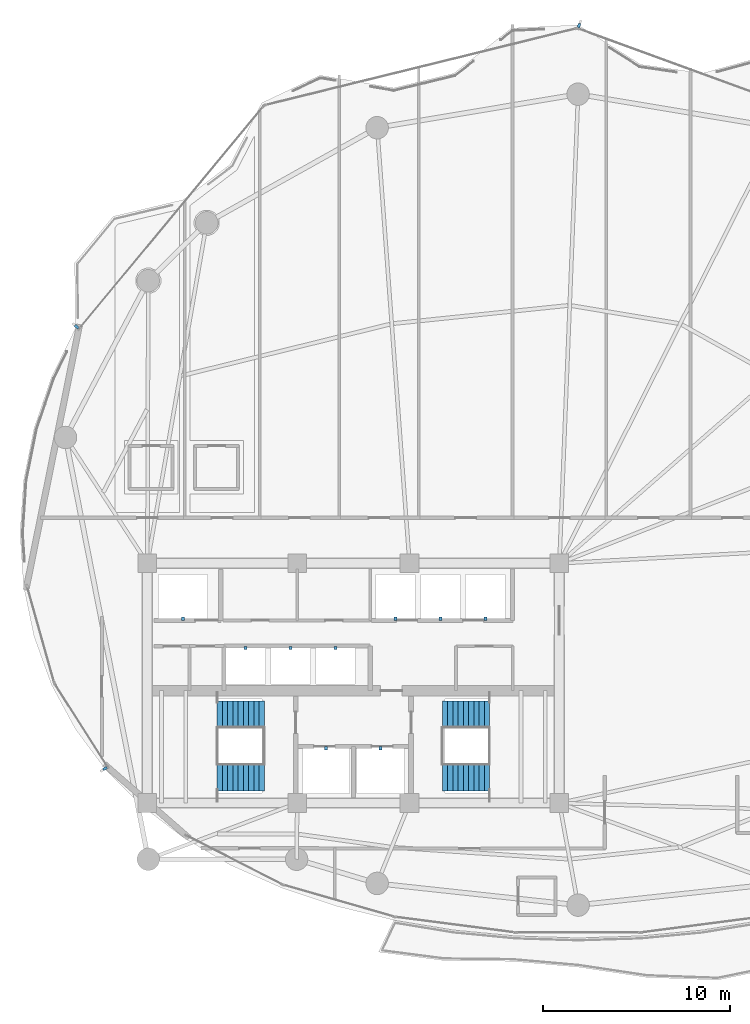
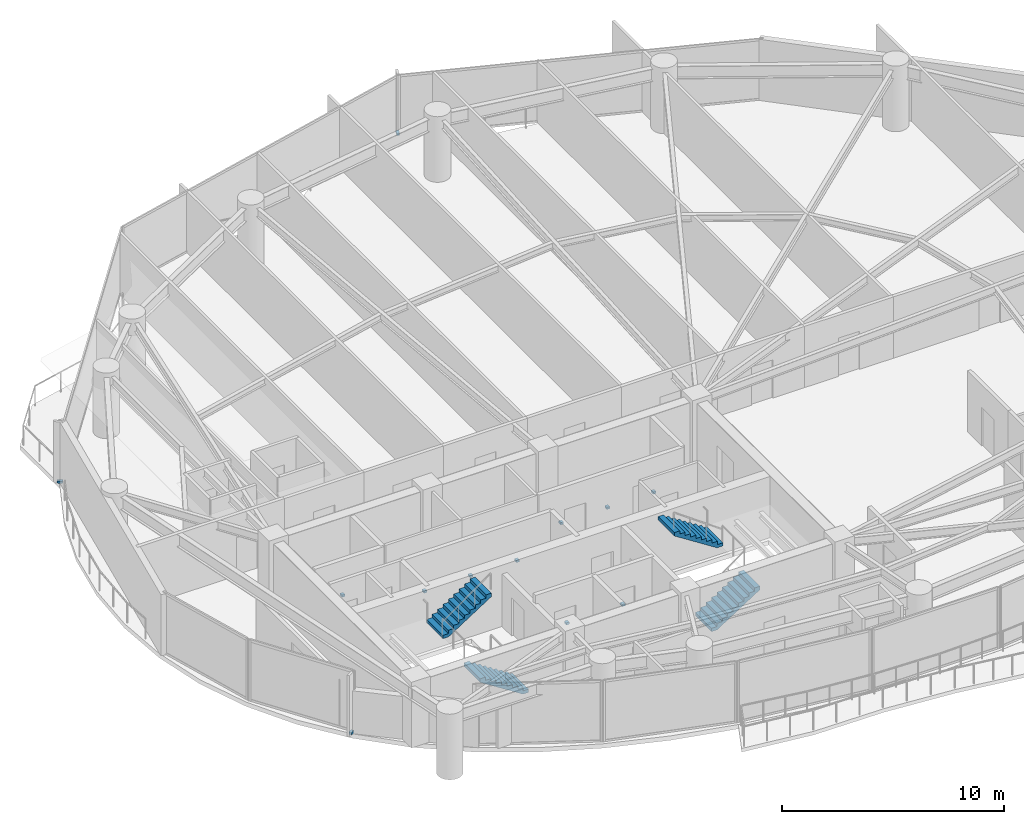
# One storey, part 25 of 28: 12 discrete accessories, 4 stair flights, 2 elements without a shape of their own.
"""IFC4 building model written with IfcOpenShell, lengths in metres."""

from ifc_helpers import new_model, si_unit, direction, frame, origin, origin_2d, place, context, subcontext, project, spatial, polyline, rectangle, outline, extrude, material, layer, layer_set, type_object, element, aggregate, save


model = new_model("IFC4")

# Units and contexts
model_context = context("Model", 3, precision=1e-05, world=origin(), true_north=direction((0.0, 1.0)))
body_context = subcontext(model_context, "Body", "Model", "MODEL_VIEW")
ifc_project = project(units=[si_unit("LENGTHUNIT", "METRE"), si_unit("AREAUNIT", "SQUARE_METRE"), si_unit("VOLUMEUNIT", "CUBIC_METRE"), si_unit("PLANEANGLEUNIT", "RADIAN"), si_unit("MASSUNIT", "GRAM", prefix="KILO")], contexts=[model_context])

# Site, building, storey
site_placement = place(None, origin())
site = spatial("IfcSite", under=ifc_project, at=site_placement, CompositionType="ELEMENT")
building_placement = place(site_placement, origin())
building = spatial("IfcBuilding", under=site, at=building_placement, Name="Kazevale Care Tower and Concert Hall", CompositionType="ELEMENT")
storey_placement = place(building_placement, frame((0.0, 0.0, 106.199951171875)))
storey = spatial("IfcBuildingStorey", under=building, at=storey_placement, Name="L27", CompositionType="ELEMENT", Elevation=106.199951171875)

# Stair, stair flights
ifc_material_1 = material(Name="Concrete C40", Category="concrete")
stair_type = type_object("IfcStairType", Name="Exit Stair Assembly ST1-Z2", PredefinedType="HALF_TURN_STAIR", material=ifc_material_1)
stair_1_placement = place(storey_placement, origin())
stair_1 = element("IfcStair", 1, at=stair_1_placement, inside=storey, type_object=stair_type, Name="stair:L27:ST1", PredefinedType="HALF_TURN_STAIR")
ifc_layer = layer(ifc_material_1, 0.159912109375)
ifc_layer_set = layer_set([ifc_layer], Name="Concrete C40")
stair_flight_type = type_object("IfcStairFlightType", Name="Exit Stair Flight ST1-Z2", PredefinedType="STRAIGHT", material=ifc_layer_set)
stair_flight_1_placement = place(storey_placement, frame((28.25, 24.97998046875, 0.0), z_axis=(0.0, 0.0, 1.0), x_axis=(-1.0, 0.0, 0.0)))
stair_flight_1 = element("IfcStairFlight", 2, at=stair_flight_1_placement, type_object=stair_flight_type, Name="ST1-Z2 flight 1", NumberOfRisers=10, NumberOfTreads=9, PredefinedType="STRAIGHT", RiserHeight=0.18, TreadLength=0.28, context=body_context, shape_type="SweptSolid", body=[
    extrude(outline(polyline([(0.0, 0.0), (0.0, 0.179931640625), (0.280029296875, 0.179931640625), (0.280029296875, 0.360107421875), (0.56005859375, 0.360107421875), (0.56005859375, 0.5400390625), (0.840087890625, 0.5400390625), (0.840087890625, 0.719970703125), (1.1201171875, 0.719970703125), (1.1201171875, 0.89990234375), (1.39990234375, 0.89990234375), (1.39990234375, 1.080078125), (1.679931640625, 1.080078125), (1.679931640625, 1.260009765625), (1.9599609375, 1.260009765625), (1.9599609375, 1.43994140625), (2.239990234375, 1.43994140625), (2.239990234375, 1.6201171875), (2.52001953125, 1.6201171875), (2.52001953125, 1.800048828125), (2.52001953125, 1.429931640625), (0.295654296875, 0.0), (0.0, 0.0)])), frame((0.0, 0.72998046875, 0.0), z_axis=(0.0, -1.0, 0.0), x_axis=(1.0, 0.0, 0.0)), (0.0, 0.0, 1.0), 1.4599609375),
])
stair_flight_2_placement = place(storey_placement, frame((25.72998046875, 28.320068359375, 1.800048828125), z_axis=(0.0, 0.0, 1.0), x_axis=(1.0, 0.0, 0.0)))
stair_flight_2 = element("IfcStairFlight", 3, at=stair_flight_2_placement, type_object=stair_flight_type, Name="ST1-Z2 flight 2", NumberOfRisers=10, NumberOfTreads=9, PredefinedType="STRAIGHT", RiserHeight=0.18, TreadLength=0.28, context=body_context, shape_type="SweptSolid", body=[
    extrude(outline(polyline([(0.0, 0.0), (0.0, 0.179931640625), (0.280029296875, 0.179931640625), (0.280029296875, 0.360107421875), (0.56005859375, 0.360107421875), (0.56005859375, 0.5400390625), (0.840087890625, 0.5400390625), (0.840087890625, 0.719970703125), (1.1201171875, 0.719970703125), (1.1201171875, 0.89990234375), (1.39990234375, 0.89990234375), (1.39990234375, 1.080078125), (1.679931640625, 1.080078125), (1.679931640625, 1.260009765625), (1.9599609375, 1.260009765625), (1.9599609375, 1.43994140625), (2.239990234375, 1.43994140625), (2.239990234375, 1.6201171875), (2.52001953125, 1.6201171875), (2.52001953125, 1.800048828125), (2.52001953125, 1.429931640625), (0.295654296875, 0.0), (0.0, 0.0)])), frame((0.0, 0.72998046875, 0.0), z_axis=(0.0, -1.0, 0.0), x_axis=(1.0, 0.0, 0.0)), (0.0, 0.0, 1.0), 1.4599609375),
])
aggregate(stair_1, [stair_flight_1, stair_flight_2])

stair_2_placement = place(storey_placement, origin())
stair_2 = element("IfcStair", 4, at=stair_2_placement, inside=storey, type_object=stair_type, Name="stair:L27:ST2", PredefinedType="HALF_TURN_STAIR")
stair_flight_3_placement = place(storey_placement, frame((37.75, 24.97998046875, 0.0), z_axis=(0.0, 0.0, 1.0), x_axis=(1.0, 0.0, 0.0)))
stair_flight_3 = element("IfcStairFlight", 5, at=stair_flight_3_placement, type_object=stair_flight_type, Name="ST1-Z2 flight 1", NumberOfRisers=10, NumberOfTreads=9, PredefinedType="STRAIGHT", RiserHeight=0.18, TreadLength=0.28, context=body_context, shape_type="SweptSolid", body=[
    extrude(outline(polyline([(0.0, 0.0), (0.0, 0.179931640625), (0.280029296875, 0.179931640625), (0.280029296875, 0.360107421875), (0.56005859375, 0.360107421875), (0.56005859375, 0.5400390625), (0.840087890625, 0.5400390625), (0.840087890625, 0.719970703125), (1.1201171875, 0.719970703125), (1.1201171875, 0.89990234375), (1.39990234375, 0.89990234375), (1.39990234375, 1.080078125), (1.679931640625, 1.080078125), (1.679931640625, 1.260009765625), (1.9599609375, 1.260009765625), (1.9599609375, 1.43994140625), (2.239990234375, 1.43994140625), (2.239990234375, 1.6201171875), (2.52001953125, 1.6201171875), (2.52001953125, 1.800048828125), (2.52001953125, 1.429931640625), (0.295654296875, 0.0), (0.0, 0.0)])), frame((0.0, 0.72998046875, 0.0), z_axis=(0.0, -1.0, 0.0), x_axis=(1.0, 0.0, 0.0)), (0.0, 0.0, 1.0), 1.4599609375),
])
stair_flight_4_placement = place(storey_placement, frame((40.27001953125, 28.320068359375, 1.800048828125), z_axis=(0.0, 0.0, 1.0), x_axis=(-1.0, 0.0, 0.0)))
stair_flight_4 = element("IfcStairFlight", 6, at=stair_flight_4_placement, type_object=stair_flight_type, Name="ST1-Z2 flight 2", NumberOfRisers=10, NumberOfTreads=9, PredefinedType="STRAIGHT", RiserHeight=0.18, TreadLength=0.28, context=body_context, shape_type="SweptSolid", body=[
    extrude(outline(polyline([(0.0, 0.0), (0.0, 0.179931640625), (0.280029296875, 0.179931640625), (0.280029296875, 0.360107421875), (0.56005859375, 0.360107421875), (0.56005859375, 0.5400390625), (0.840087890625, 0.5400390625), (0.840087890625, 0.719970703125), (1.1201171875, 0.719970703125), (1.1201171875, 0.89990234375), (1.39990234375, 0.89990234375), (1.39990234375, 1.080078125), (1.679931640625, 1.080078125), (1.679931640625, 1.260009765625), (1.9599609375, 1.260009765625), (1.9599609375, 1.43994140625), (2.239990234375, 1.43994140625), (2.239990234375, 1.6201171875), (2.52001953125, 1.6201171875), (2.52001953125, 1.800048828125), (2.52001953125, 1.429931640625), (0.295654296875, 0.0), (0.0, 0.0)])), frame((0.0, 0.72998046875, 0.0), z_axis=(0.0, -1.0, 0.0), x_axis=(1.0, 0.0, 0.0)), (0.0, 0.0, 1.0), 1.4599609375),
])
aggregate(stair_2, [stair_flight_3, stair_flight_4])

# Discrete accessories
ifc_material_2 = material(Name="Stainless Steel 316", Category="steel")
discrete_accessory_type_1 = type_object("IfcDiscreteAccessoryType", Name="Facade Fin Stainless Anchor Bracket BRK-1", PredefinedType="BRACKET", material=ifc_material_2)
for number, where, z_axis, x_axis, name in (
    (7, (19.739013671875, 25.4443359375, 0.0), (0.0, 0.0, 1.0), (-0.843391445813, -0.537299608347, 0.0), "cw:L27:f11:brk"),
    (8, (18.2265625, 49.0322265625, 0.0), (0.0, 0.0, 1.0), (-0.770068049148, 0.637961754089, 0.0), "cw:L27:f14:brk"),
    (9, (45.0478515625, 65.113037109375, 0.0), (0.0, 0.0, 1.0), (0.343167938899, 0.939274063153, 0.0), "cw:L27:f16:brk"),
):
    element("IfcDiscreteAccessory", number, at=place(storey_placement, frame(where, z_axis=z_axis, x_axis=x_axis)), inside=storey, type_object=discrete_accessory_type_1, Name=name, PredefinedType="BRACKET", context=body_context, shape_type="SweptSolid", body=[
        extrude(rectangle(XDim=0.239990234375, YDim=0.139892578125, at=origin_2d()), origin(), (0.0, 0.0, 1.0), 0.1201171875),
    ])
discrete_accessory_type_2 = type_object("IfcDiscreteAccessoryType", Name="Hoistway Guide-Rail Wall Bracket HBRK-1", PredefinedType="BRACKET", material=ifc_material_2)
for number, where, z_axis, x_axis, name in (
    (10, (31.550048828125, 26.52001953125, 1.239990234375), (0.0, 0.0, 1.0), (1.0, 0.0, 0.0), "hbrk:FFL-1:L27"),
    (11, (34.449951171875, 26.52001953125, 1.239990234375), (0.0, 0.0, 1.0), (1.0, 0.0, 0.0), "hbrk:FFL-2:L27"),
    (12, (23.89990234375, 33.449951171875, 1.239990234375), (0.0, 0.0, 1.0), (1.0, 0.0, 0.0), "hbrk:SVL-1:L27"),
    (13, (35.25, 33.449951171875, 1.239990234375), (0.0, 0.0, 1.0), (1.0, 0.0, 0.0), "hbrk:PM-1:L27"),
    (14, (37.64990234375, 33.449951171875, 1.239990234375), (0.0, 0.0, 1.0), (1.0, 0.0, 0.0), "hbrk:PM-2:L27"),
    (15, (40.050048828125, 33.449951171875, 1.239990234375), (0.0, 0.0, 1.0), (1.0, 0.0, 0.0), "hbrk:PM-3:L27"),
    (16, (27.25, 31.8798828125, 1.239990234375), (0.0, 0.0, 1.0), (1.0, 0.0, 0.0), "hbrk:PH-1:L27"),
    (17, (29.64990234375, 31.8798828125, 1.239990234375), (0.0, 0.0, 1.0), (1.0, 0.0, 0.0), "hbrk:PH-2:L27"),
    (18, (32.050048828125, 31.8798828125, 1.239990234375), (0.0, 0.0, 1.0), (1.0, 0.0, 0.0), "hbrk:PH-3:L27"),
):
    element("IfcDiscreteAccessory", number, at=place(storey_placement, frame(where, z_axis=z_axis, x_axis=x_axis)), inside=storey, type_object=discrete_accessory_type_2, Name=name, PredefinedType="BRACKET", context=body_context, shape_type="SweptSolid", body=[
        extrude(rectangle(XDim=0.159912109375, YDim=0.179931640625, at=origin_2d()), origin(), (0.0, 0.0, 1.0), 0.1201171875),
    ])

save(model, "model.ifc")
